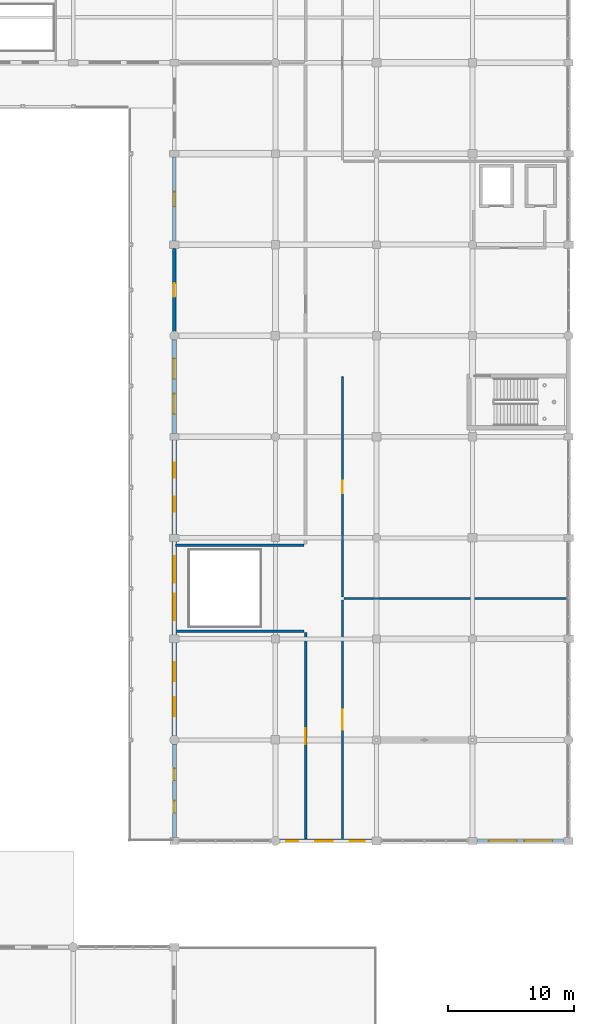
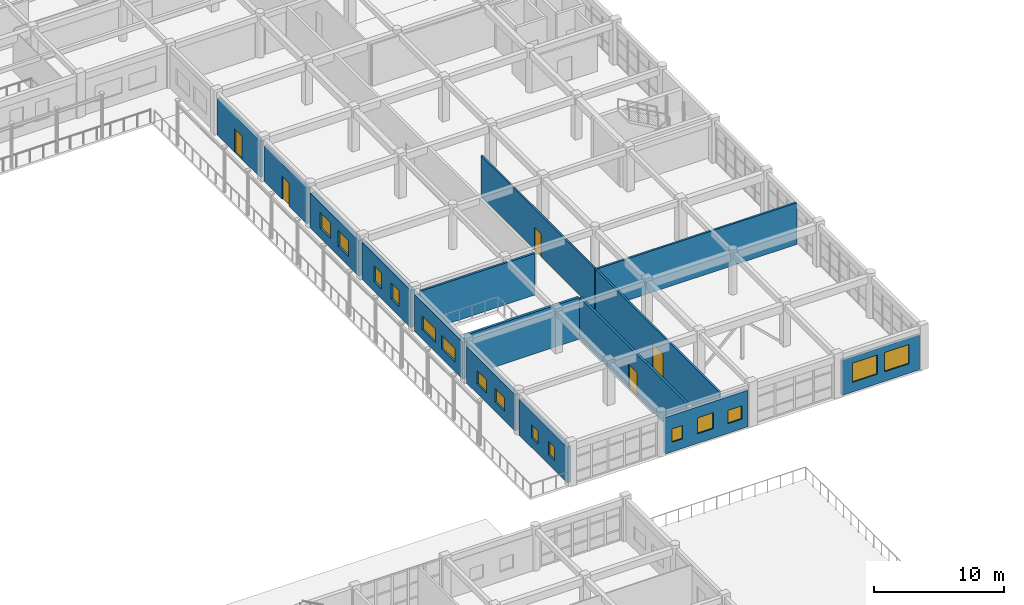
# One storey, part 173 of 195: 15 walls, 15 windows, 5 doors, 20 openings.
"""IFC4 building model written with IfcOpenShell, lengths in metres."""

from ifc_helpers import new_model, si_unit, direction, frame, frame_2d, origin, place, context, subcontext, project, spatial, rectangle, extrude, material, layer, layer_set, type_object, element, fill, save


model = new_model("IFC4")

# Units and contexts
model_context = context("Model", 3, precision=1e-05, world=origin(), true_north=direction((0.0, 1.0)))
body_context = subcontext(model_context, "Body", "Model", "MODEL_VIEW")
ifc_project = project(units=[si_unit("LENGTHUNIT", "METRE"), si_unit("AREAUNIT", "SQUARE_METRE"), si_unit("VOLUMEUNIT", "CUBIC_METRE"), si_unit("PLANEANGLEUNIT", "RADIAN"), si_unit("MASSUNIT", "GRAM", prefix="KILO")], contexts=[model_context])

# Site, building, storey
site_placement = place(None, origin())
site = spatial("IfcSite", under=ifc_project, at=site_placement, CompositionType="ELEMENT")
building_placement = place(site_placement, origin())
building = spatial("IfcBuilding", under=site, at=building_placement, Name="Kharva Crest Polytechnic", CompositionType="ELEMENT")
storey_placement = place(building_placement, frame((0.0, 0.0, 9.0)))
storey = spatial("IfcBuildingStorey", under=building, at=storey_placement, Name="L02", CompositionType="ELEMENT", Elevation=9.0)

# Wall, opening, door
ifc_material_1 = material(Name="Kiln brick masonry", Category="masonry")
ifc_layer_1 = layer(ifc_material_1, 0.260009765625, Name="Kiln brick masonry")
ifc_layer_set_1 = layer_set([ifc_layer_1], Name="Kiln brick masonry")
wall_type_1 = type_object("IfcWallType", Name="WL-EXT-BRK-260", PredefinedType="SOLIDWALL", material=ifc_layer_set_1)
wall_1_placement = place(storey_placement, frame((152.800048828125, 85.705078125, 0.0), z_axis=(0.0, 0.0, 1.0), x_axis=(0.0, -1.0, 0.0)))
wall_1 = element("IfcWall", 1, at=wall_1_placement, inside=storey, type_object=wall_type_1, Name="L02 Exterior Brick Wall 278", PredefinedType="SOLIDWALL", context=body_context, shape_type="SweptSolid", body=[
    extrude(rectangle(XDim=6.602783203125, YDim=0.260009765625, at=frame_2d((3.30126953125, 0.0))), origin(), (0.0, 0.0, 1.0), 3.340087890625),
])
opening_1_placement = place(wall_1_placement, frame((2.77587890625, 0.0, 0.0)))
opening_1 = element("IfcOpeningElement", 2, at=opening_1_placement, cuts=wall_1, Name="Opening ED10", PredefinedType="OPENING", context=body_context, shape_type="SweptSolid", body=[
    extrude(rectangle(XDim=1.050048828125, YDim=2.14990234375, at=frame_2d((0.52490234375, 1.074951171875))), frame((0.0, 0.139892578125, 0.0), z_axis=(0.0, -1.0, 0.0), x_axis=(1.0, 0.0, 0.0)), (0.0, 0.0, 1.0), 0.280029296875),
])
ifc_material_2 = material(Name="Anodised aluminium", Category="aluminium")
door_type_1 = type_object("IfcDoorType", Name="DR-EXT-TER-1050X2150", OperationType="NOTDEFINED", PredefinedType="DOOR", material=ifc_material_2)
door_1_placement = place(opening_1_placement, frame((1.050048828125, 0.0, 0.0), z_axis=(0.0, 0.0, 1.0), x_axis=(-1.0, 0.0, 0.0)))
door_1 = element("IfcDoor", 3, at=door_1_placement, inside=storey, type_object=door_type_1, Name="L02 VER_E_L02 Access Door 51", OperationType="SINGLE_SWING_LEFT", OverallHeight=2.14990234375, OverallWidth=1.050048828125, PredefinedType="DOOR", context=body_context, shape_type="SweptSolid", body=[
    extrude(rectangle(XDim=1.050048828125, YDim=2.14990234375, at=frame_2d((0.52490234375, 1.074951171875))), frame((0.0, 0.02490234375, 0.0), z_axis=(0.0, -1.0, 0.0), x_axis=(1.0, 0.0, 0.0)), (0.0, 0.0, 1.0), 0.050048828125),
])
fill(opening_1, door_1)

# Wall, openings, windows
wall_2_placement = place(storey_placement, frame((176.77001953125, 38.800048828125, 0.0), z_axis=(0.0, 0.0, 1.0), x_axis=(1.0, 0.0, 0.0)))
wall_2 = element("IfcWall", 4, at=wall_2_placement, inside=storey, type_object=wall_type_1, Name="L02 Exterior Brick Wall 285", PredefinedType="SOLIDWALL", context=body_context, shape_type="SweptSolid", body=[
    extrude(rectangle(XDim=6.875, YDim=0.260009765625, at=frame_2d((3.4375, 0.0))), origin(), (0.0, 0.0, 1.0), 3.27001953125),
])
opening_2_placement = place(wall_2_placement, frame((0.931884765625, 0.0, 0.89990234375)))
opening_2 = element("IfcOpeningElement", 5, at=opening_2_placement, cuts=wall_2, Name="Opening W03", PredefinedType="OPENING", context=body_context, shape_type="SweptSolid", body=[
    extrude(rectangle(XDim=2.199951171875, YDim=1.800048828125, at=frame_2d((1.10009765625, 0.89990234375))), frame((0.0, 0.139892578125, 0.0), z_axis=(0.0, -1.0, 0.0), x_axis=(1.0, 0.0, 0.0)), (0.0, 0.0, 1.0), 0.280029296875),
])
opening_3_placement = place(wall_2_placement, frame((3.742919921875, 0.0, 0.89990234375)))
opening_3 = element("IfcOpeningElement", 6, at=opening_3_placement, cuts=wall_2, Name="Opening W03", PredefinedType="OPENING", context=body_context, shape_type="SweptSolid", body=[
    extrude(rectangle(XDim=2.199951171875, YDim=1.800048828125, at=frame_2d((1.10009765625, 0.89990234375))), frame((0.0, 0.139892578125, 0.0), z_axis=(0.0, -1.0, 0.0), x_axis=(1.0, 0.0, 0.0)), (0.0, 0.0, 1.0), 0.280029296875),
])
window_type_1 = type_object("IfcWindowType", Name="WIN-ALU-2200X1800", PartitioningType="SINGLE_PANEL", PredefinedType="WINDOW", material=ifc_material_2)
window_1_placement = place(opening_2_placement, origin())
window_1 = element("IfcWindow", 7, at=window_1_placement, inside=storey, type_object=window_type_1, Name="L02 Exterior Window 384", OverallHeight=1.800048828125, OverallWidth=2.199951171875, PartitioningType="SINGLE_PANEL", PredefinedType="WINDOW", context=body_context, shape_type="SweptSolid", body=[
    extrude(rectangle(XDim=2.199951171875, YDim=1.800048828125, at=frame_2d((1.10009765625, 0.89990234375))), frame((0.0, 0.030029296875, 0.0), z_axis=(0.0, -1.0, 0.0), x_axis=(1.0, 0.0, 0.0)), (0.0, 0.0, 1.0), 0.06005859375),
])
fill(opening_2, window_1)
window_2_placement = place(opening_3_placement, origin())
window_2 = element("IfcWindow", 8, at=window_2_placement, inside=storey, type_object=window_type_1, Name="L02 Exterior Window 385", OverallHeight=1.800048828125, OverallWidth=2.199951171875, PartitioningType="SINGLE_PANEL", PredefinedType="WINDOW", context=body_context, shape_type="SweptSolid", body=[
    extrude(rectangle(XDim=2.199951171875, YDim=1.800048828125, at=frame_2d((1.10009765625, 0.89990234375))), frame((0.0, 0.030029296875, 0.0), z_axis=(0.0, -1.0, 0.0), x_axis=(1.0, 0.0, 0.0)), (0.0, 0.0, 1.0), 0.06005859375),
])
fill(opening_3, window_2)

# Wall, opening, door
ifc_layer_2 = layer(ifc_material_1, 0.27490234375, Name="Kiln brick masonry")
ifc_layer_set_2 = layer_set([ifc_layer_2], Name="Kiln brick masonry")
wall_type_2 = type_object("IfcWallType", Name="WL-EXT-BRK-275", PredefinedType="SOLIDWALL", material=ifc_layer_set_2)
wall_3_placement = place(storey_placement, frame((152.800048828125, 92.929931640625, 0.0), z_axis=(0.0, 0.0, 1.0), x_axis=(0.0, -1.0, 0.0)))
wall_3 = element("IfcWall", 9, at=wall_3_placement, inside=storey, type_object=wall_type_2, Name="L02 Exterior Brick Wall 277", PredefinedType="SOLIDWALL", context=body_context, shape_type="SweptSolid", body=[
    extrude(rectangle(XDim=6.635009765625, YDim=0.27490234375, at=frame_2d((3.3173828125, 0.0))), origin(), (0.0, 0.0, 1.0), 3.39990234375),
])
opening_4_placement = place(wall_3_placement, frame((2.742919921875, 0.0, 0.0)))
opening_4 = element("IfcOpeningElement", 10, at=opening_4_placement, cuts=wall_3, Name="Opening ED9", PredefinedType="OPENING", context=body_context, shape_type="SweptSolid", body=[
    extrude(rectangle(XDim=1.14990234375, YDim=2.199951171875, at=frame_2d((0.574951171875, 1.10009765625))), frame((0.0, 0.1474609375, 0.0), z_axis=(0.0, -1.0, 0.0), x_axis=(1.0, 0.0, 0.0)), (0.0, 0.0, 1.0), 0.294921875),
])
door_type_2 = type_object("IfcDoorType", Name="DR-EXT-TER-1150X2200", OperationType="NOTDEFINED", PredefinedType="DOOR", material=ifc_material_2)
door_2_placement = place(opening_4_placement, frame((1.14990234375, 0.0, 0.0), z_axis=(0.0, 0.0, 1.0), x_axis=(-1.0, 0.0, 0.0)))
door_2 = element("IfcDoor", 11, at=door_2_placement, inside=storey, type_object=door_type_2, Name="L02 VER_E_L02 Access Door 50", OperationType="SINGLE_SWING_RIGHT", OverallHeight=2.199951171875, OverallWidth=1.14990234375, PredefinedType="DOOR", context=body_context, shape_type="SweptSolid", body=[
    extrude(rectangle(XDim=1.14990234375, YDim=2.199951171875, at=frame_2d((0.574951171875, 1.10009765625))), frame((0.0, 0.02490234375, 0.0), z_axis=(0.0, -1.0, 0.0), x_axis=(1.0, 0.0, 0.0)), (0.0, 0.0, 1.0), 0.050048828125),
])
fill(opening_4, door_2)

# Wall, openings, windows
ifc_layer_3 = layer(ifc_material_1, 0.2900390625, Name="Kiln brick masonry")
ifc_layer_set_3 = layer_set([ifc_layer_3], Name="Kiln brick masonry")
wall_type_3 = type_object("IfcWallType", Name="WL-EXT-BRK-290", PredefinedType="SOLIDWALL", material=ifc_layer_set_3)
wall_4_placement = place(storey_placement, frame((161.102294921875, 38.800048828125, 0.0), z_axis=(0.0, 0.0, 1.0), x_axis=(1.0, 0.0, 0.0)))
wall_4 = element("IfcWall", 12, at=wall_4_placement, inside=storey, type_object=wall_type_3, Name="L02 Exterior Brick Wall 284", PredefinedType="SOLIDWALL", context=body_context, shape_type="SweptSolid", body=[
    extrude(rectangle(XDim=7.32763671875, YDim=0.2900390625, at=frame_2d((3.663818359375, 0.0))), origin(), (0.0, 0.0, 1.0), 3.419921875),
])
opening_5_placement = place(wall_4_placement, frame((0.569091796875, 0.0, 0.89990234375)))
opening_5 = element("IfcOpeningElement", 13, at=opening_5_placement, cuts=wall_4, Name="Opening W22", PredefinedType="OPENING", context=body_context, shape_type="SweptSolid", body=[
    extrude(rectangle(XDim=0.949951171875, YDim=1.25, at=frame_2d((0.47509765625, 0.625))), frame((0.0, 0.155029296875, 0.0), z_axis=(0.0, -1.0, 0.0), x_axis=(1.0, 0.0, 0.0)), (0.0, 0.0, 1.0), 0.31005859375),
])
opening_6_placement = place(wall_4_placement, frame((2.847900390625, 0.0, 0.89990234375)))
opening_6 = element("IfcOpeningElement", 14, at=opening_6_placement, cuts=wall_4, Name="Opening W15", PredefinedType="OPENING", context=body_context, shape_type="SweptSolid", body=[
    extrude(rectangle(XDim=1.39990234375, YDim=1.5, at=frame_2d((0.699951171875, 0.75))), frame((0.0, 0.155029296875, 0.0), z_axis=(0.0, -1.0, 0.0), x_axis=(1.0, 0.0, 0.0)), (0.0, 0.0, 1.0), 0.31005859375),
])
opening_7_placement = place(wall_4_placement, frame((5.568115234375, 0.0, 0.89990234375)))
opening_7 = element("IfcOpeningElement", 15, at=opening_7_placement, cuts=wall_4, Name="Opening W21", PredefinedType="OPENING", context=body_context, shape_type="SweptSolid", body=[
    extrude(rectangle(XDim=1.199951171875, YDim=1.25, at=frame_2d((0.60009765625, 0.625))), frame((0.0, 0.155029296875, 0.0), z_axis=(0.0, -1.0, 0.0), x_axis=(1.0, 0.0, 0.0)), (0.0, 0.0, 1.0), 0.31005859375),
])
window_type_2 = type_object("IfcWindowType", Name="WIN-ALU-1200X1250", PartitioningType="SINGLE_PANEL", PredefinedType="WINDOW", material=ifc_material_2)
window_3_placement = place(opening_7_placement, origin())
window_3 = element("IfcWindow", 16, at=window_3_placement, inside=storey, type_object=window_type_2, Name="L02 Exterior Window 383", OverallHeight=1.25, OverallWidth=1.199951171875, PartitioningType="SINGLE_PANEL", PredefinedType="WINDOW", context=body_context, shape_type="SweptSolid", body=[
    extrude(rectangle(XDim=1.199951171875, YDim=1.25, at=frame_2d((0.60009765625, 0.625))), frame((0.0, 0.030029296875, 0.0), z_axis=(0.0, -1.0, 0.0), x_axis=(1.0, 0.0, 0.0)), (0.0, 0.0, 1.0), 0.06005859375),
])
fill(opening_7, window_3)
window_type_3 = type_object("IfcWindowType", Name="WIN-ALU-1400X1500", PartitioningType="SINGLE_PANEL", PredefinedType="WINDOW", material=ifc_material_2)
window_4_placement = place(opening_6_placement, origin())
window_4 = element("IfcWindow", 17, at=window_4_placement, inside=storey, type_object=window_type_3, Name="L02 Exterior Window 382", OverallHeight=1.5, OverallWidth=1.39990234375, PartitioningType="SINGLE_PANEL", PredefinedType="WINDOW", context=body_context, shape_type="SweptSolid", body=[
    extrude(rectangle(XDim=1.39990234375, YDim=1.5, at=frame_2d((0.699951171875, 0.75))), frame((0.0, 0.030029296875, 0.0), z_axis=(0.0, -1.0, 0.0), x_axis=(1.0, 0.0, 0.0)), (0.0, 0.0, 1.0), 0.06005859375),
])
fill(opening_6, window_4)
window_type_4 = type_object("IfcWindowType", Name="WIN-ALU-950X1250", PartitioningType="SINGLE_PANEL", PredefinedType="WINDOW", material=ifc_material_2)
window_5_placement = place(opening_5_placement, origin())
window_5 = element("IfcWindow", 18, at=window_5_placement, inside=storey, type_object=window_type_4, Name="L02 Exterior Window 381", OverallHeight=1.25, OverallWidth=0.949951171875, PartitioningType="SINGLE_PANEL", PredefinedType="WINDOW", context=body_context, shape_type="SweptSolid", body=[
    extrude(rectangle(XDim=0.949951171875, YDim=1.25, at=frame_2d((0.47509765625, 0.625))), frame((0.0, 0.030029296875, 0.0), z_axis=(0.0, -1.0, 0.0), x_axis=(1.0, 0.0, 0.0)), (0.0, 0.0, 1.0), 0.06005859375),
])
fill(opening_5, window_5)

ifc_layer_4 = layer(ifc_material_1, 0.320068359375, Name="Kiln brick masonry")
ifc_layer_set_4 = layer_set([ifc_layer_4], Name="Kiln brick masonry")
wall_type_4 = type_object("IfcWallType", Name="WL-EXT-BRK-320", PredefinedType="SOLIDWALL", material=ifc_layer_set_4)
wall_5_placement = place(storey_placement, frame((152.800048828125, 46.49755859375, 0.0), z_axis=(0.0, 0.0, 1.0), x_axis=(0.0, -1.0, 0.0)))
wall_5 = element("IfcWall", 19, at=wall_5_placement, inside=storey, type_object=wall_type_4, Name="L02 Exterior Brick Wall 283", PredefinedType="SOLIDWALL", context=body_context, shape_type="SweptSolid", body=[
    extrude(rectangle(XDim=7.427490234375, YDim=0.320068359375, at=frame_2d((3.7138671875, 0.0))), origin(), (0.0, 0.0, 1.0), 3.340087890625),
])
opening_8_placement = place(wall_5_placement, frame((1.948974609375, 0.0, 0.89990234375)))
opening_8 = element("IfcOpeningElement", 20, at=opening_8_placement, cuts=wall_5, Name="Opening W22", PredefinedType="OPENING", context=body_context, shape_type="SweptSolid", body=[
    extrude(rectangle(XDim=0.949951171875, YDim=1.25, at=frame_2d((0.47509765625, 0.625))), frame((0.0, 0.169921875, 0.0), z_axis=(0.0, -1.0, 0.0), x_axis=(1.0, 0.0, 0.0)), (0.0, 0.0, 1.0), 0.340087890625),
])
opening_9_placement = place(wall_5_placement, frame((4.528076171875, 0.0, 0.89990234375)))
opening_9 = element("IfcOpeningElement", 21, at=opening_9_placement, cuts=wall_5, Name="Opening W22", PredefinedType="OPENING", context=body_context, shape_type="SweptSolid", body=[
    extrude(rectangle(XDim=0.949951171875, YDim=1.25, at=frame_2d((0.47509765625, 0.625))), frame((0.0, 0.169921875, 0.0), z_axis=(0.0, -1.0, 0.0), x_axis=(1.0, 0.0, 0.0)), (0.0, 0.0, 1.0), 0.340087890625),
])
window_6_placement = place(opening_8_placement, origin())
window_6 = element("IfcWindow", 22, at=window_6_placement, inside=storey, type_object=window_type_4, Name="L02 Exterior Window 379", OverallHeight=1.25, OverallWidth=0.949951171875, PartitioningType="SINGLE_PANEL", PredefinedType="WINDOW", context=body_context, shape_type="SweptSolid", body=[
    extrude(rectangle(XDim=0.949951171875, YDim=1.25, at=frame_2d((0.47509765625, 0.625))), frame((0.0, 0.030029296875, 0.0), z_axis=(0.0, -1.0, 0.0), x_axis=(1.0, 0.0, 0.0)), (0.0, 0.0, 1.0), 0.06005859375),
])
fill(opening_8, window_6)
window_7_placement = place(opening_9_placement, origin())
window_7 = element("IfcWindow", 23, at=window_7_placement, inside=storey, type_object=window_type_4, Name="L02 Exterior Window 380", OverallHeight=1.25, OverallWidth=0.949951171875, PartitioningType="SINGLE_PANEL", PredefinedType="WINDOW", context=body_context, shape_type="SweptSolid", body=[
    extrude(rectangle(XDim=0.949951171875, YDim=1.25, at=frame_2d((0.47509765625, 0.625))), frame((0.0, 0.030029296875, 0.0), z_axis=(0.0, -1.0, 0.0), x_axis=(1.0, 0.0, 0.0)), (0.0, 0.0, 1.0), 0.06005859375),
])
fill(opening_9, window_7)

ifc_layer_5 = layer(ifc_material_1, 0.3349609375, Name="Kiln brick masonry")
ifc_layer_set_5 = layer_set([ifc_layer_5], Name="Kiln brick masonry")
wall_type_5 = type_object("IfcWallType", Name="WL-EXT-BRK-335", PredefinedType="SOLIDWALL", material=ifc_layer_set_5)
wall_6_placement = place(storey_placement, frame((152.800048828125, 54.5048828125, 0.0), z_axis=(0.0, 0.0, 1.0), x_axis=(0.0, -1.0, 0.0)))
wall_6 = element("IfcWall", 24, at=wall_6_placement, inside=storey, type_object=wall_type_5, Name="L02 Exterior Brick Wall 282", PredefinedType="SOLIDWALL", context=body_context, shape_type="SweptSolid", body=[
    extrude(rectangle(XDim=7.402587890625, YDim=0.3349609375, at=frame_2d((3.701171875, 0.0))), origin(), (0.0, 0.0, 1.0), 3.39990234375),
])
opening_10_placement = place(wall_6_placement, frame((1.573974609375, 0.0, 0.89990234375)))
opening_10 = element("IfcOpeningElement", 25, at=opening_10_placement, cuts=wall_6, Name="Opening W20", PredefinedType="OPENING", context=body_context, shape_type="SweptSolid", body=[
    extrude(rectangle(XDim=1.5, YDim=1.25, at=frame_2d((0.75, 0.625))), frame((0.0, 0.177490234375, 0.0), z_axis=(0.0, -1.0, 0.0), x_axis=(1.0, 0.0, 0.0)), (0.0, 0.0, 1.0), 0.35498046875),
])
opening_11_placement = place(wall_6_placement, frame((4.327880859375, 0.0, 0.89990234375)))
opening_11 = element("IfcOpeningElement", 26, at=opening_11_placement, cuts=wall_6, Name="Opening W20", PredefinedType="OPENING", context=body_context, shape_type="SweptSolid", body=[
    extrude(rectangle(XDim=1.5, YDim=1.25, at=frame_2d((0.75, 0.625))), frame((0.0, 0.177490234375, 0.0), z_axis=(0.0, -1.0, 0.0), x_axis=(1.0, 0.0, 0.0)), (0.0, 0.0, 1.0), 0.35498046875),
])
window_type_5 = type_object("IfcWindowType", Name="WIN-ALU-1500X1250", PartitioningType="SINGLE_PANEL", PredefinedType="WINDOW", material=ifc_material_2)
window_8_placement = place(opening_10_placement, origin())
window_8 = element("IfcWindow", 27, at=window_8_placement, inside=storey, type_object=window_type_5, Name="L02 Exterior Window 377", OverallHeight=1.25, OverallWidth=1.5, PartitioningType="SINGLE_PANEL", PredefinedType="WINDOW", context=body_context, shape_type="SweptSolid", body=[
    extrude(rectangle(XDim=1.5, YDim=1.25, at=frame_2d((0.75, 0.625))), frame((0.0, 0.030029296875, 0.0), z_axis=(0.0, -1.0, 0.0), x_axis=(1.0, 0.0, 0.0)), (0.0, 0.0, 1.0), 0.06005859375),
])
fill(opening_10, window_8)
window_9_placement = place(opening_11_placement, origin())
window_9 = element("IfcWindow", 28, at=window_9_placement, inside=storey, type_object=window_type_5, Name="L02 Exterior Window 378", OverallHeight=1.25, OverallWidth=1.5, PartitioningType="SINGLE_PANEL", PredefinedType="WINDOW", context=body_context, shape_type="SweptSolid", body=[
    extrude(rectangle(XDim=1.5, YDim=1.25, at=frame_2d((0.75, 0.625))), frame((0.0, 0.030029296875, 0.0), z_axis=(0.0, -1.0, 0.0), x_axis=(1.0, 0.0, 0.0)), (0.0, 0.0, 1.0), 0.06005859375),
])
fill(opening_11, window_9)

ifc_layer_6 = layer(ifc_material_1, 0.35009765625, Name="Kiln brick masonry")
ifc_layer_set_6 = layer_set([ifc_layer_6], Name="Kiln brick masonry")
wall_type_6 = type_object("IfcWallType", Name="WL-EXT-BRK-350", PredefinedType="SOLIDWALL", material=ifc_layer_set_6)
wall_7_placement = place(storey_placement, frame((152.800048828125, 62.530029296875, 0.0), z_axis=(0.0, 0.0, 1.0), x_axis=(0.0, -1.0, 0.0)))
wall_7 = element("IfcWall", 29, at=wall_7_placement, inside=storey, type_object=wall_type_6, Name="L02 Exterior Brick Wall 281", PredefinedType="SOLIDWALL", context=body_context, shape_type="SweptSolid", body=[
    extrude(rectangle(XDim=7.43505859375, YDim=0.35009765625, at=frame_2d((3.717529296875, 0.0))), origin(), (0.0, 0.0, 1.0), 3.4599609375),
])
opening_12_placement = place(wall_7_placement, frame((1.18505859375, 0.0, 0.89990234375)))
opening_12 = element("IfcOpeningElement", 30, at=opening_12_placement, cuts=wall_7, Name="Opening W18", PredefinedType="OPENING", context=body_context, shape_type="SweptSolid", body=[
    extrude(rectangle(XDim=2.10009765625, YDim=1.25, at=frame_2d((1.050048828125, 0.625))), frame((0.0, 0.18505859375, 0.0), z_axis=(0.0, -1.0, 0.0), x_axis=(1.0, 0.0, 0.0)), (0.0, 0.0, 1.0), 0.3701171875),
])
opening_13_placement = place(wall_7_placement, frame((4.14990234375, 0.0, 0.89990234375)))
opening_13 = element("IfcOpeningElement", 31, at=opening_13_placement, cuts=wall_7, Name="Opening W18", PredefinedType="OPENING", context=body_context, shape_type="SweptSolid", body=[
    extrude(rectangle(XDim=2.10009765625, YDim=1.25, at=frame_2d((1.050048828125, 0.625))), frame((0.0, 0.18505859375, 0.0), z_axis=(0.0, -1.0, 0.0), x_axis=(1.0, 0.0, 0.0)), (0.0, 0.0, 1.0), 0.3701171875),
])
window_type_6 = type_object("IfcWindowType", Name="WIN-ALU-2100X1250", PartitioningType="SINGLE_PANEL", PredefinedType="WINDOW", material=ifc_material_2)
window_10_placement = place(opening_12_placement, origin())
window_10 = element("IfcWindow", 32, at=window_10_placement, inside=storey, type_object=window_type_6, Name="L02 Exterior Window 375", OverallHeight=1.25, OverallWidth=2.10009765625, PartitioningType="SINGLE_PANEL", PredefinedType="WINDOW", context=body_context, shape_type="SweptSolid", body=[
    extrude(rectangle(XDim=2.10009765625, YDim=1.25, at=frame_2d((1.050048828125, 0.625))), frame((0.0, 0.030029296875, 0.0), z_axis=(0.0, -1.0, 0.0), x_axis=(1.0, 0.0, 0.0)), (0.0, 0.0, 1.0), 0.06005859375),
])
fill(opening_12, window_10)
window_11_placement = place(opening_13_placement, origin())
window_11 = element("IfcWindow", 33, at=window_11_placement, inside=storey, type_object=window_type_6, Name="L02 Exterior Window 376", OverallHeight=1.25, OverallWidth=2.10009765625, PartitioningType="SINGLE_PANEL", PredefinedType="WINDOW", context=body_context, shape_type="SweptSolid", body=[
    extrude(rectangle(XDim=2.10009765625, YDim=1.25, at=frame_2d((1.050048828125, 0.625))), frame((0.0, 0.030029296875, 0.0), z_axis=(0.0, -1.0, 0.0), x_axis=(1.0, 0.0, 0.0)), (0.0, 0.0, 1.0), 0.06005859375),
])
fill(opening_13, window_11)

ifc_layer_7 = layer(ifc_material_1, 0.364990234375, Name="Kiln brick masonry")
ifc_layer_set_7 = layer_set([ifc_layer_7], Name="Kiln brick masonry")
wall_type_7 = type_object("IfcWallType", Name="WL-EXT-BRK-365", PredefinedType="SOLIDWALL", material=ifc_layer_set_7)
wall_8_placement = place(storey_placement, frame((152.800048828125, 70.530029296875, 0.0), z_axis=(0.0, 0.0, 1.0), x_axis=(0.0, -1.0, 0.0)))
wall_8 = element("IfcWall", 34, at=wall_8_placement, inside=storey, type_object=wall_type_7, Name="L02 Exterior Brick Wall 280", PredefinedType="SOLIDWALL", context=body_context, shape_type="SweptSolid", body=[
    extrude(rectangle(XDim=7.4599609375, YDim=0.364990234375, at=frame_2d((3.72998046875, 0.0))), origin(), (0.0, 0.0, 1.0), 3.47998046875),
])
opening_14_placement = place(wall_8_placement, frame((1.79296875, 0.0, 0.89990234375)))
opening_14 = element("IfcOpeningElement", 35, at=opening_14_placement, cuts=wall_8, Name="Opening W16", PredefinedType="OPENING", context=body_context, shape_type="SweptSolid", body=[
    extrude(rectangle(XDim=1.199951171875, YDim=1.5, at=frame_2d((0.60009765625, 0.75))), frame((0.0, 0.1923828125, 0.0), z_axis=(0.0, -1.0, 0.0), x_axis=(1.0, 0.0, 0.0)), (0.0, 0.0, 1.0), 0.385009765625),
])
opening_15_placement = place(wall_8_placement, frame((4.467041015625, 0.0, 0.89990234375)))
opening_15 = element("IfcOpeningElement", 36, at=opening_15_placement, cuts=wall_8, Name="Opening W16", PredefinedType="OPENING", context=body_context, shape_type="SweptSolid", body=[
    extrude(rectangle(XDim=1.199951171875, YDim=1.5, at=frame_2d((0.60009765625, 0.75))), frame((0.0, 0.1923828125, 0.0), z_axis=(0.0, -1.0, 0.0), x_axis=(1.0, 0.0, 0.0)), (0.0, 0.0, 1.0), 0.385009765625),
])
window_type_7 = type_object("IfcWindowType", Name="WIN-ALU-1200X1500", PartitioningType="SINGLE_PANEL", PredefinedType="WINDOW", material=ifc_material_2)
window_12_placement = place(opening_14_placement, origin())
window_12 = element("IfcWindow", 37, at=window_12_placement, inside=storey, type_object=window_type_7, Name="L02 Exterior Window 373", OverallHeight=1.5, OverallWidth=1.199951171875, PartitioningType="SINGLE_PANEL", PredefinedType="WINDOW", context=body_context, shape_type="SweptSolid", body=[
    extrude(rectangle(XDim=1.199951171875, YDim=1.5, at=frame_2d((0.60009765625, 0.75))), frame((0.0, 0.030029296875, 0.0), z_axis=(0.0, -1.0, 0.0), x_axis=(1.0, 0.0, 0.0)), (0.0, 0.0, 1.0), 0.06005859375),
])
fill(opening_14, window_12)
window_13_placement = place(opening_15_placement, origin())
window_13 = element("IfcWindow", 38, at=window_13_placement, inside=storey, type_object=window_type_7, Name="L02 Exterior Window 374", OverallHeight=1.5, OverallWidth=1.199951171875, PartitioningType="SINGLE_PANEL", PredefinedType="WINDOW", context=body_context, shape_type="SweptSolid", body=[
    extrude(rectangle(XDim=1.199951171875, YDim=1.5, at=frame_2d((0.60009765625, 0.75))), frame((0.0, 0.030029296875, 0.0), z_axis=(0.0, -1.0, 0.0), x_axis=(1.0, 0.0, 0.0)), (0.0, 0.0, 1.0), 0.06005859375),
])
fill(opening_15, window_13)

ifc_layer_8 = layer(ifc_material_1, 0.3798828125, Name="Kiln brick masonry")
ifc_layer_set_8 = layer_set([ifc_layer_8], Name="Kiln brick masonry")
wall_type_8 = type_object("IfcWallType", Name="WL-EXT-BRK-380", PredefinedType="SOLIDWALL", material=ifc_layer_set_8)
wall_9_placement = place(storey_placement, frame((152.800048828125, 78.49755859375, 0.0), z_axis=(0.0, 0.0, 1.0), x_axis=(0.0, -1.0, 0.0)))
wall_9 = element("IfcWall", 39, at=wall_9_placement, inside=storey, type_object=wall_type_8, Name="L02 Exterior Brick Wall 279", PredefinedType="SOLIDWALL", context=body_context, shape_type="SweptSolid", body=[
    extrude(rectangle(XDim=7.427490234375, YDim=0.3798828125, at=frame_2d((3.7138671875, 0.0))), origin(), (0.0, 0.0, 1.0), 3.300048828125),
])
opening_16_placement = place(wall_9_placement, frame((1.51611328125, 0.0, 0.89990234375)))
opening_16 = element("IfcOpeningElement", 40, at=opening_16_placement, cuts=wall_9, Name="Opening W14", PredefinedType="OPENING", context=body_context, shape_type="SweptSolid", body=[
    extrude(rectangle(XDim=1.60009765625, YDim=1.5, at=frame_2d((0.800048828125, 0.75))), frame((0.0, 0.199951171875, 0.0), z_axis=(0.0, -1.0, 0.0), x_axis=(1.0, 0.0, 0.0)), (0.0, 0.0, 1.0), 0.39990234375),
])
opening_17_placement = place(wall_9_placement, frame((4.31201171875, 0.0, 0.89990234375)))
opening_17 = element("IfcOpeningElement", 41, at=opening_17_placement, cuts=wall_9, Name="Opening W14", PredefinedType="OPENING", context=body_context, shape_type="SweptSolid", body=[
    extrude(rectangle(XDim=1.60009765625, YDim=1.5, at=frame_2d((0.800048828125, 0.75))), frame((0.0, 0.199951171875, 0.0), z_axis=(0.0, -1.0, 0.0), x_axis=(1.0, 0.0, 0.0)), (0.0, 0.0, 1.0), 0.39990234375),
])
window_type_8 = type_object("IfcWindowType", Name="WIN-ALU-1600X1500", PartitioningType="SINGLE_PANEL", PredefinedType="WINDOW", material=ifc_material_2)
window_14_placement = place(opening_16_placement, origin())
window_14 = element("IfcWindow", 42, at=window_14_placement, inside=storey, type_object=window_type_8, Name="L02 Exterior Window 371", OverallHeight=1.5, OverallWidth=1.60009765625, PartitioningType="SINGLE_PANEL", PredefinedType="WINDOW", context=body_context, shape_type="SweptSolid", body=[
    extrude(rectangle(XDim=1.60009765625, YDim=1.5, at=frame_2d((0.800048828125, 0.75))), frame((0.0, 0.030029296875, 0.0), z_axis=(0.0, -1.0, 0.0), x_axis=(1.0, 0.0, 0.0)), (0.0, 0.0, 1.0), 0.06005859375),
])
fill(opening_16, window_14)
window_15_placement = place(opening_17_placement, origin())
window_15 = element("IfcWindow", 43, at=window_15_placement, inside=storey, type_object=window_type_8, Name="L02 Exterior Window 372", OverallHeight=1.5, OverallWidth=1.60009765625, PartitioningType="SINGLE_PANEL", PredefinedType="WINDOW", context=body_context, shape_type="SweptSolid", body=[
    extrude(rectangle(XDim=1.60009765625, YDim=1.5, at=frame_2d((0.800048828125, 0.75))), frame((0.0, 0.030029296875, 0.0), z_axis=(0.0, -1.0, 0.0), x_axis=(1.0, 0.0, 0.0)), (0.0, 0.0, 1.0), 0.06005859375),
])
fill(opening_17, window_15)

# Wall, opening, door
ifc_layer_9 = layer(ifc_material_1, 0.199951171875, Name="Kiln brick masonry")
ifc_layer_set_9 = layer_set([ifc_layer_9], Name="Kiln brick masonry")
wall_type_9 = type_object("IfcWallType", Name="WL-FIRE-FW1-200", PredefinedType="SOLIDWALL", material=ifc_layer_set_9)
wall_10_placement = place(storey_placement, frame((163.18994140625, 38.909912109375, 0.0), z_axis=(0.0, 0.0, 1.0), x_axis=(0.0, 1.0, 0.0)))
wall_10 = element("IfcWall", 44, at=wall_10_placement, inside=storey, type_object=wall_type_9, Name="L02 Interior Partition 258", PredefinedType="SOLIDWALL", context=body_context, shape_type="SweptSolid", body=[
    extrude(rectangle(XDim=16.380126953125, YDim=0.199951171875, at=frame_2d((8.18994140625, 0.0))), origin(), (0.0, 0.0, 1.0), 3.89990234375),
])
opening_18_placement = place(wall_10_placement, frame((7.550048828125, 0.0, 0.0)))
opening_18 = element("IfcOpeningElement", 45, at=opening_18_placement, cuts=wall_10, Name="Opening ID7", PredefinedType="OPENING", context=body_context, shape_type="SweptSolid", body=[
    extrude(rectangle(XDim=1.280029296875, YDim=2.199951171875, at=frame_2d((0.64013671875, 1.10009765625))), frame((0.0, 0.10986328125, 0.0), z_axis=(0.0, -1.0, 0.0), x_axis=(1.0, 0.0, 0.0)), (0.0, 0.0, 1.0), 0.219970703125),
])
ifc_material_3 = material(Name="Teak timber", Category="wood")
door_type_3 = type_object("IfcDoorType", Name="DR-LAB-1280X2200", OperationType="NOTDEFINED", PredefinedType="DOOR", material=ifc_material_3)
door_3_placement = place(opening_18_placement, origin())
door_3 = element("IfcDoor", 46, at=door_3_placement, inside=storey, type_object=door_type_3, Name="L02 Autonomous Robotics Laboratory Door", OperationType="SINGLE_SWING_LEFT", OverallHeight=2.199951171875, OverallWidth=1.280029296875, PredefinedType="DOOR", context=body_context, shape_type="SweptSolid", body=[
    extrude(rectangle(XDim=1.280029296875, YDim=2.199951171875, at=frame_2d((0.64013671875, 1.10009765625))), frame((0.0, 0.02490234375, 0.0), z_axis=(0.0, -1.0, 0.0), x_axis=(1.0, 0.0, 0.0)), (0.0, 0.0, 1.0), 0.050048828125),
])
fill(opening_18, door_3)

ifc_layer_10 = layer(ifc_material_1, 0.14990234375, Name="Kiln brick masonry")
ifc_layer_set_10 = layer_set([ifc_layer_10], Name="Kiln brick masonry")
wall_type_10 = type_object("IfcWallType", Name="WL-PART-150", PredefinedType="PARTITIONING", material=ifc_layer_set_10)
wall_11_placement = place(storey_placement, frame((166.110107421875, 58.1201171875, 0.0), z_axis=(0.0, 0.0, 1.0), x_axis=(0.0, 1.0, 0.0)))
wall_11 = element("IfcWall", 47, at=wall_11_placement, inside=storey, type_object=wall_type_10, Name="L02 Interior Partition 263", PredefinedType="PARTITIONING", context=body_context, shape_type="SweptSolid", body=[
    extrude(rectangle(XDim=17.409912109375, YDim=0.14990234375, at=frame_2d((8.705078125, 0.0))), origin(), (0.0, 0.0, 1.0), 3.89990234375),
])
opening_19_placement = place(wall_11_placement, frame((8.205078125, 0.0, 0.0)))
opening_19 = element("IfcOpeningElement", 48, at=opening_19_placement, cuts=wall_11, Name="Opening ID12", PredefinedType="OPENING", context=body_context, shape_type="SweptSolid", body=[
    extrude(rectangle(XDim=1.0, YDim=2.14990234375, at=frame_2d((0.5, 1.074951171875))), frame((0.0, 0.0849609375, 0.0), z_axis=(0.0, -1.0, 0.0), x_axis=(1.0, 0.0, 0.0)), (0.0, 0.0, 1.0), 0.169921875),
])
door_type_4 = type_object("IfcDoorType", Name="DR-OFF-1000X2150", OperationType="NOTDEFINED", PredefinedType="DOOR", material=ifc_material_3)
door_4_placement = place(opening_19_placement, origin())
door_4 = element("IfcDoor", 49, at=door_4_placement, inside=storey, type_object=door_type_4, Name="L02 Faculty Office L02-E Door", OperationType="SINGLE_SWING_LEFT", OverallHeight=2.14990234375, OverallWidth=1.0, PredefinedType="DOOR", context=body_context, shape_type="SweptSolid", body=[
    extrude(rectangle(XDim=1.0, YDim=2.14990234375, at=frame_2d((0.5, 1.074951171875))), frame((0.0, 0.02490234375, 0.0), z_axis=(0.0, -1.0, 0.0), x_axis=(1.0, 0.0, 0.0)), (0.0, 0.0, 1.0), 0.050048828125),
])
fill(opening_19, door_4)

ifc_layer_11 = layer(ifc_material_1, 0.159912109375, Name="Kiln brick masonry")
ifc_layer_set_11 = layer_set([ifc_layer_11], Name="Kiln brick masonry")
wall_type_11 = type_object("IfcWallType", Name="WL-PART-160", PredefinedType="PARTITIONING", material=ifc_layer_set_11)
wall_12_placement = place(storey_placement, frame((166.110107421875, 38.909912109375, 0.0), z_axis=(0.0, 0.0, 1.0), x_axis=(0.0, 1.0, 0.0)))
wall_12 = element("IfcWall", 50, at=wall_12_placement, inside=storey, type_object=wall_type_11, Name="L02 Interior Partition 262", PredefinedType="PARTITIONING", context=body_context, shape_type="SweptSolid", body=[
    extrude(rectangle(XDim=18.97998046875, YDim=0.159912109375, at=frame_2d((9.489990234375, 0.0))), origin(), (0.0, 0.0, 1.0), 3.89990234375),
])
opening_20_placement = place(wall_12_placement, frame((8.68994140625, 0.0, 0.0)))
opening_20 = element("IfcOpeningElement", 51, at=opening_20_placement, cuts=wall_12, Name="Opening ID4", PredefinedType="OPENING", context=body_context, shape_type="SweptSolid", body=[
    extrude(rectangle(XDim=1.60009765625, YDim=2.25, at=frame_2d((0.800048828125, 1.125))), frame((0.0, 0.08984375, 0.0), z_axis=(0.0, -1.0, 0.0), x_axis=(1.0, 0.0, 0.0)), (0.0, 0.0, 1.0), 0.179931640625),
])
door_type_5 = type_object("IfcDoorType", Name="DR-WKSHP-DBL-1600X2250", OperationType="NOTDEFINED", PredefinedType="DOOR", material=ifc_material_3)
door_5_placement = place(opening_20_placement, origin())
door_5 = element("IfcDoor", 52, at=door_5_placement, inside=storey, type_object=door_type_5, Name="L02 Robotics Fabrication Workshop Door", OperationType="DOUBLE_DOOR_SINGLE_SWING", OverallHeight=2.25, OverallWidth=1.60009765625, PredefinedType="DOOR", context=body_context, shape_type="SweptSolid", body=[
    extrude(rectangle(XDim=1.60009765625, YDim=2.25, at=frame_2d((0.800048828125, 1.125))), frame((0.0, 0.02490234375, 0.0), z_axis=(0.0, -1.0, 0.0), x_axis=(1.0, 0.0, 0.0)), (0.0, 0.0, 1.0), 0.050048828125),
])
fill(opening_20, door_5)

# Walls
ifc_layer_12 = layer(ifc_material_1, 0.169921875, Name="Kiln brick masonry")
ifc_layer_set_12 = layer_set([ifc_layer_12], Name="Kiln brick masonry")
wall_type_12 = type_object("IfcWallType", Name="WL-PART-170", PredefinedType="PARTITIONING", material=ifc_layer_set_12)
wall_13_placement = place(storey_placement, frame((166.219970703125, 58.0, 0.0), z_axis=(0.0, 0.0, 1.0), x_axis=(1.0, 0.0, 0.0)))
element("IfcWall", 53, at=wall_13_placement, inside=storey, type_object=wall_type_12, Name="L02 Interior Partition 261", PredefinedType="PARTITIONING", context=body_context, shape_type="SweptSolid", body=[
    extrude(rectangle(XDim=17.669921875, YDim=0.169921875, at=frame_2d((8.8349609375, 0.0))), origin(), (0.0, 0.0, 1.0), 3.89990234375),
])
ifc_layer_13 = layer(ifc_material_1, 0.18994140625, Name="Kiln brick masonry")
ifc_layer_set_13 = layer_set([ifc_layer_13], Name="Kiln brick masonry")
wall_type_13 = type_object("IfcWallType", Name="WL-PART-190", PredefinedType="PARTITIONING", material=ifc_layer_set_13)
wall_14_placement = place(storey_placement, frame((152.909912109375, 62.199951171875, 0.0), z_axis=(0.0, 0.0, 1.0), x_axis=(1.0, 0.0, 0.0)))
element("IfcWall", 54, at=wall_14_placement, inside=storey, type_object=wall_type_13, Name="L02 Interior Partition 259", PredefinedType="PARTITIONING", context=body_context, shape_type="SweptSolid", body=[
    extrude(rectangle(XDim=10.170166015625, YDim=0.18994140625, at=frame_2d((5.0849609375, 0.0))), origin(), (0.0, 0.0, 1.0), 3.89990234375),
])
ifc_layer_14 = layer(ifc_material_1, 0.215087890625, Name="Kiln brick masonry")
ifc_layer_set_14 = layer_set([ifc_layer_14], Name="Kiln brick masonry")
wall_type_14 = type_object("IfcWallType", Name="WL-PART-215", PredefinedType="PARTITIONING", material=ifc_layer_set_14)
wall_15_placement = place(storey_placement, frame((152.909912109375, 55.39990234375, 0.0), z_axis=(0.0, 0.0, 1.0), x_axis=(1.0, 0.0, 0.0)))
element("IfcWall", 55, at=wall_15_placement, inside=storey, type_object=wall_type_14, Name="L02 Interior Partition 257", PredefinedType="PARTITIONING", context=body_context, shape_type="SweptSolid", body=[
    extrude(rectangle(XDim=10.170166015625, YDim=0.215087890625, at=frame_2d((5.0849609375, 0.0))), origin(), (0.0, 0.0, 1.0), 3.89990234375),
])

save(model, "model.ifc")
